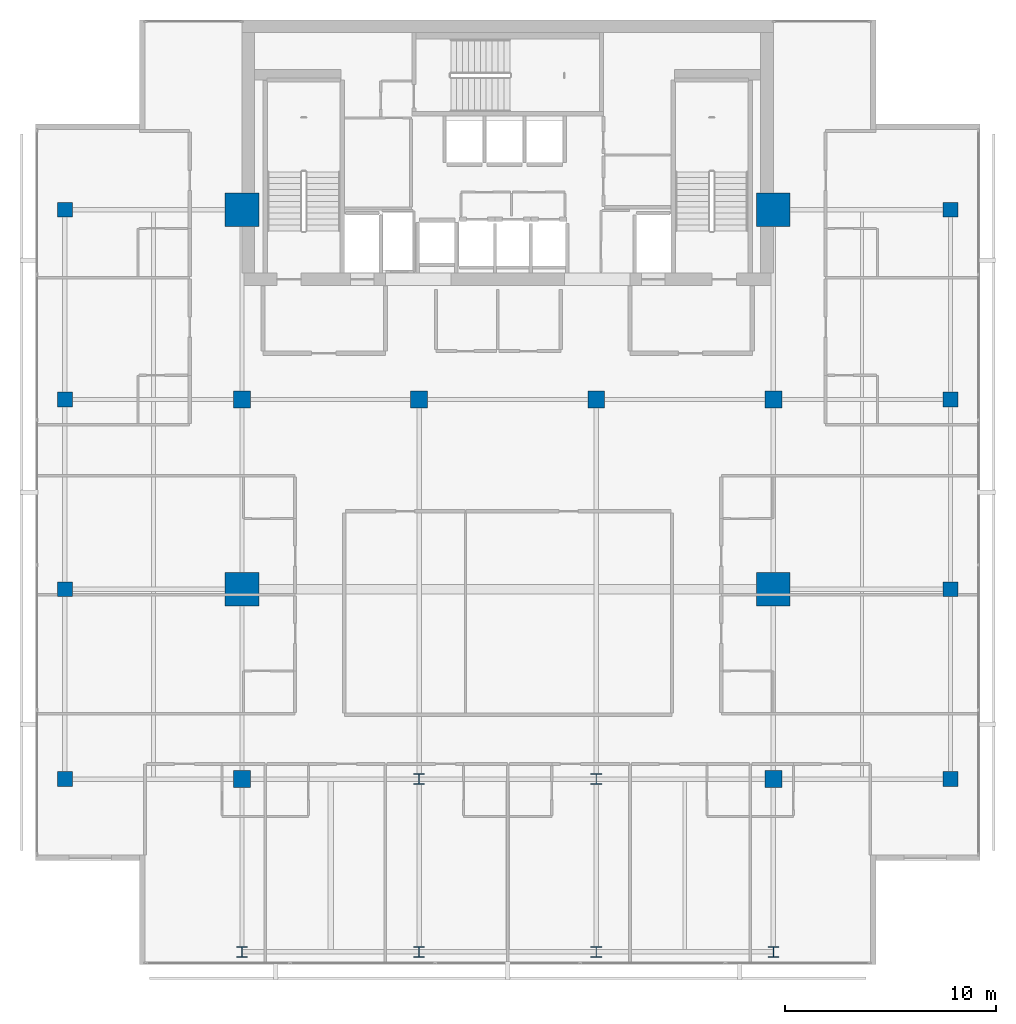
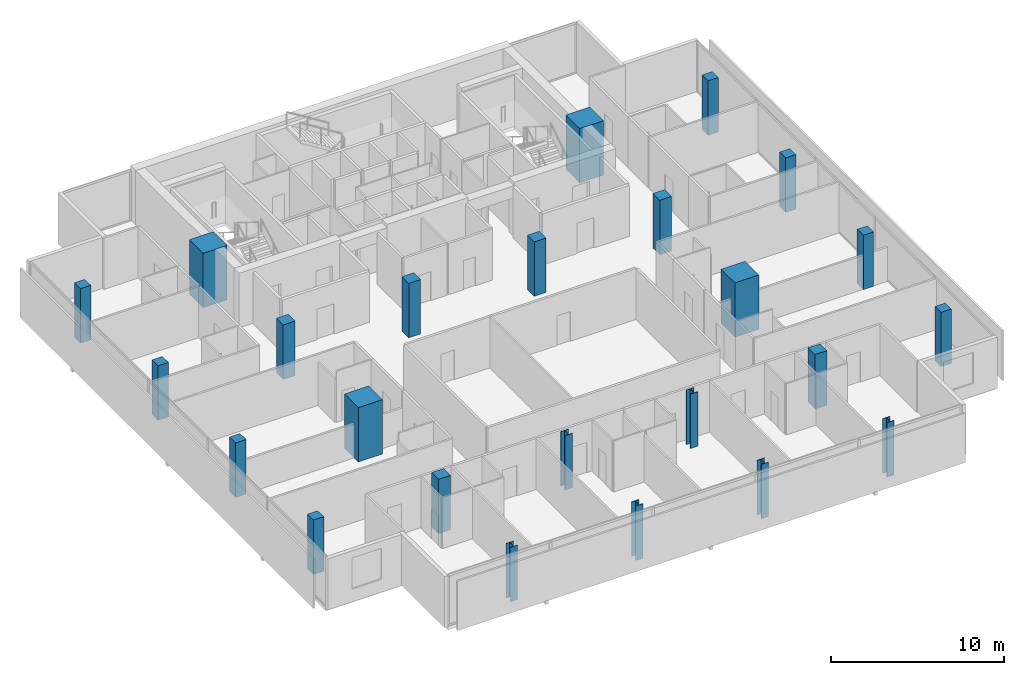
# One storey, part 1 of 26: 24 columns.
"""IFC4 building model written with IfcOpenShell, lengths in metres."""

from ifc_helpers import new_model, si_unit, direction, frame, origin, origin_2d, place, context, subcontext, project, spatial, rectangle, i_section, extrude, material, material_profile, profile_set, type_object, element, save


model = new_model("IFC4")

# Units and contexts
model_context = context("Model", 3, precision=1e-05, world=origin(), true_north=direction((0.0, 1.0)))
body_context = subcontext(model_context, "Body", "Model", "MODEL_VIEW")
ifc_project = project(units=[si_unit("LENGTHUNIT", "METRE"), si_unit("AREAUNIT", "SQUARE_METRE"), si_unit("VOLUMEUNIT", "CUBIC_METRE"), si_unit("PLANEANGLEUNIT", "RADIAN"), si_unit("MASSUNIT", "GRAM", prefix="KILO")], contexts=[model_context])

# Site, building, storey
site_placement = place(None, origin())
site = spatial("IfcSite", under=ifc_project, at=site_placement, CompositionType="ELEMENT")
building_placement = place(site_placement, origin())
building = spatial("IfcBuilding", under=site, at=building_placement, Name="Maruvema Waterfront Hotel and Observation Tower", CompositionType="ELEMENT")
storey_placement = place(building_placement, frame((0.0, 0.0, 243.25)))
storey = spatial("IfcBuildingStorey", under=building, at=storey_placement, Name="L59", CompositionType="ELEMENT", Elevation=243.25)

# Columns
ifc_material_1 = material(Name="Concrete C70/85", Category="concrete")
ifc_material_profile_1 = material_profile(ifc_material_1, rectangle(XDim=1.60009765625, YDim=1.60009765625, at=origin_2d()), Name="MC1600x1600")
ifc_profile_set_1 = profile_set([ifc_material_profile_1], Name="Concrete C70/85")
column_type_1 = type_object("IfcColumnType", Name="Continuous Mega-Column MC1600x1600", PredefinedType="COLUMN", material=ifc_profile_set_1)
for number, where, z_axis, x_axis, name in (
    (1, (25.199951171875, 27.0, 0.0), (0.0, 0.0, 1.0), (1.0, 0.0, 0.0), "L59 Continuous Mega-Column MC-01"),
    (2, (50.39990234375, 27.0, 0.0), (0.0, 0.0, 1.0), (1.0, 0.0, 0.0), "L59 Continuous Mega-Column MC-02"),
    (3, (25.199951171875, 45.0, 0.0), (0.0, 0.0, 1.0), (1.0, 0.0, 0.0), "L59 Continuous Mega-Column MC-03"),
    (4, (50.39990234375, 45.0, 0.0), (0.0, 0.0, 1.0), (1.0, 0.0, 0.0), "L59 Continuous Mega-Column MC-04"),
):
    element("IfcColumn", number, at=place(storey_placement, frame(where, z_axis=z_axis, x_axis=x_axis)), inside=storey, type_object=column_type_1, Name=name, PredefinedType="COLUMN", context=body_context, shape_type="SweptSolid", body=[
        extrude(rectangle(XDim=1.60009765625, YDim=1.60009765625, at=origin_2d()), origin(), (0.0, 0.0, 1.0), 3.85009765625),
    ])
ifc_material_2 = material(Name="Concrete C60/75", Category="concrete")
ifc_material_profile_2 = material_profile(ifc_material_2, rectangle(XDim=0.699951171875, YDim=0.699951171875, at=origin_2d()), Name="RC700x700")
ifc_profile_set_2 = profile_set([ifc_material_profile_2], Name="Concrete C60/75")
column_type_2 = type_object("IfcColumnType", Name="Reinforced Concrete Column RC700x700", PredefinedType="COLUMN", material=ifc_profile_set_2)
for number, where, z_axis, x_axis, name in (
    (5, (16.800048828125, 18.0, 0.0), (0.0, 0.0, 1.0), (1.0, 0.0, 0.0), "L59 Column C-3Y18"),
    (6, (58.800048828125, 18.0, 0.0), (0.0, 0.0, 1.0), (1.0, 0.0, 0.0), "L59 Column C-8Y18"),
    (7, (16.800048828125, 27.0, 0.0), (0.0, 0.0, 1.0), (1.0, 0.0, 0.0), "L59 Column C-3Y27"),
    (8, (58.800048828125, 27.0, 0.0), (0.0, 0.0, 1.0), (1.0, 0.0, 0.0), "L59 Column C-8Y27"),
    (9, (16.800048828125, 36.0, 0.0), (0.0, 0.0, 1.0), (1.0, 0.0, 0.0), "L59 Column C-3Y36"),
    (10, (58.800048828125, 36.0, 0.0), (0.0, 0.0, 1.0), (1.0, 0.0, 0.0), "L59 Column C-8Y36"),
    (11, (16.800048828125, 45.0, 0.0), (0.0, 0.0, 1.0), (1.0, 0.0, 0.0), "L59 Column C-3Y45"),
    (12, (58.800048828125, 45.0, 0.0), (0.0, 0.0, 1.0), (1.0, 0.0, 0.0), "L59 Column C-8Y45"),
):
    element("IfcColumn", number, at=place(storey_placement, frame(where, z_axis=z_axis, x_axis=x_axis)), inside=storey, type_object=column_type_2, Name=name, PredefinedType="COLUMN", context=body_context, shape_type="SweptSolid", body=[
        extrude(rectangle(XDim=0.699951171875, YDim=0.699951171875, at=origin_2d()), origin(), (0.0, 0.0, 1.0), 3.85009765625),
    ])
ifc_material_3 = material(Name="Concrete C60/75", Category="concrete")
ifc_material_profile_3 = material_profile(ifc_material_3, rectangle(XDim=0.800048828125, YDim=0.800048828125, at=origin_2d()), Name="RC800x800")
ifc_profile_set_3 = profile_set([ifc_material_profile_3], Name="Concrete C60/75")
column_type_3 = type_object("IfcColumnType", Name="Reinforced Concrete Column RC800x800", PredefinedType="COLUMN", material=ifc_profile_set_3)
for number, where, z_axis, x_axis, name in (
    (13, (25.199951171875, 36.0, 0.0), (0.0, 0.0, 1.0), (1.0, 0.0, 0.0), "L59 Column C-4E"),
    (14, (33.60009765625, 36.0, 0.0), (0.0, 0.0, 1.0), (1.0, 0.0, 0.0), "L59 Column C-5E"),
    (15, (42.0, 36.0, 0.0), (0.0, 0.0, 1.0), (1.0, 0.0, 0.0), "L59 Column C-6E"),
    (16, (50.39990234375, 36.0, 0.0), (0.0, 0.0, 1.0), (1.0, 0.0, 0.0), "L59 Column C-7E"),
    (17, (25.199951171875, 18.0, 0.0), (0.0, 0.0, 1.0), (1.0, 0.0, 0.0), "L59 Column C-4C"),
    (18, (50.39990234375, 18.0, 0.0), (0.0, 0.0, 1.0), (1.0, 0.0, 0.0), "L59 Column C-7C"),
):
    element("IfcColumn", number, at=place(storey_placement, frame(where, z_axis=z_axis, x_axis=x_axis)), inside=storey, type_object=column_type_3, Name=name, PredefinedType="COLUMN", context=body_context, shape_type="SweptSolid", body=[
        extrude(rectangle(XDim=0.800048828125, YDim=0.800048828125, at=origin_2d()), origin(), (0.0, 0.0, 1.0), 3.85009765625),
    ])
ifc_material_4 = material(Name="Steel ABNT NBR 7007 AR 415 (ASTM A572 Grade 50)", Category="steel")
ifc_material_profile_4 = material_profile(ifc_material_4, i_section(OverallWidth=0.5, OverallDepth=0.5, WebThickness=0.02197265625, FlangeThickness=0.031982421875, at=origin_2d()), Name="CVS500x223")
ifc_profile_set_4 = profile_set([ifc_material_profile_4], Name="Steel ABNT NBR 7007 AR 415 (ASTM A572 Grade 50)")
column_type_4 = type_object("IfcColumnType", Name="Structural Steel Column CVS500x223", PredefinedType="COLUMN", material=ifc_profile_set_4)
for number, where, z_axis, x_axis, name in (
    (19, (33.60009765625, 18.0, 0.0), (0.0, 0.0, 1.0), (1.0, 0.0, 0.0), "L59 Column C-5C"),
    (20, (42.0, 18.0, 0.0), (0.0, 0.0, 1.0), (1.0, 0.0, 0.0), "L59 Column C-6C"),
    (21, (25.199951171875, 9.800048828125, 0.0), (0.0, 0.0, 1.0), (1.0, 0.0, 0.0), "L59 Column C-Z3S4"),
    (22, (33.60009765625, 9.800048828125, 0.0), (0.0, 0.0, 1.0), (1.0, 0.0, 0.0), "L59 Column C-Z3S5"),
    (23, (42.0, 9.800048828125, 0.0), (0.0, 0.0, 1.0), (1.0, 0.0, 0.0), "L59 Column C-Z3S6"),
    (24, (50.39990234375, 9.800048828125, 0.0), (0.0, 0.0, 1.0), (1.0, 0.0, 0.0), "L59 Column C-Z3S7"),
):
    element("IfcColumn", number, at=place(storey_placement, frame(where, z_axis=z_axis, x_axis=x_axis)), inside=storey, type_object=column_type_4, Name=name, PredefinedType="COLUMN", context=body_context, shape_type="SweptSolid", body=[
        extrude(i_section(OverallWidth=0.5, OverallDepth=0.5, WebThickness=0.02197265625, FlangeThickness=0.031982421875, at=origin_2d()), origin(), (0.0, 0.0, 1.0), 3.85009765625),
    ])

save(model, "model.ifc")
